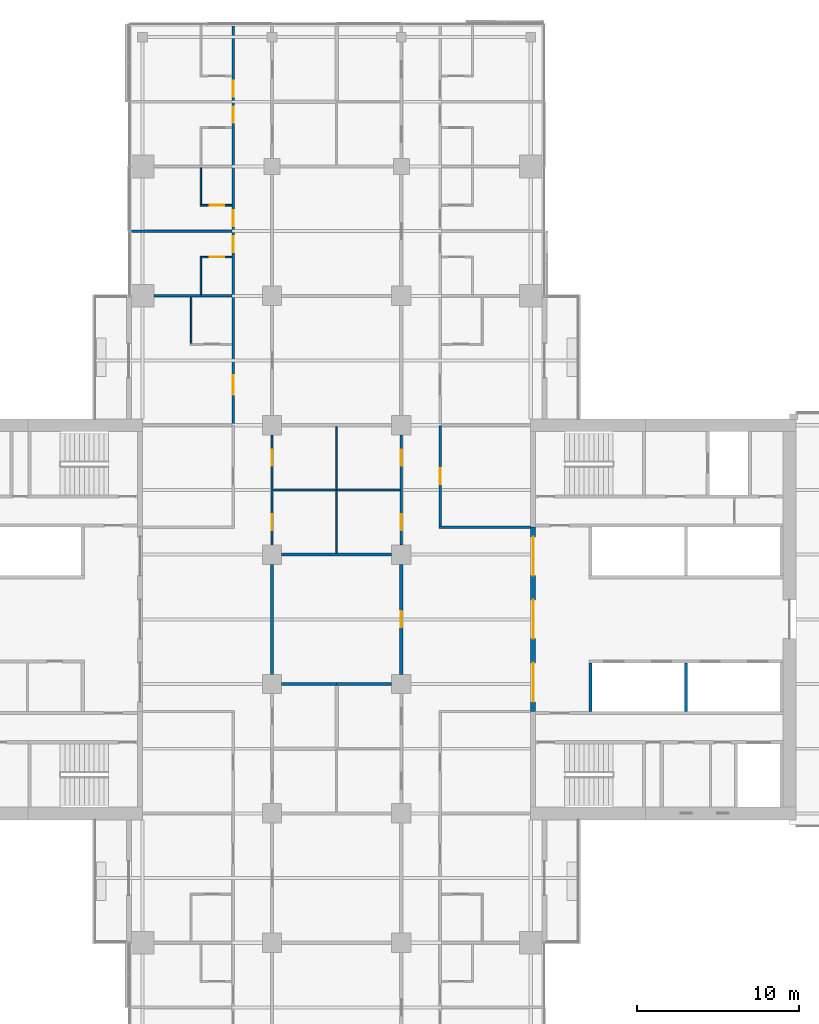
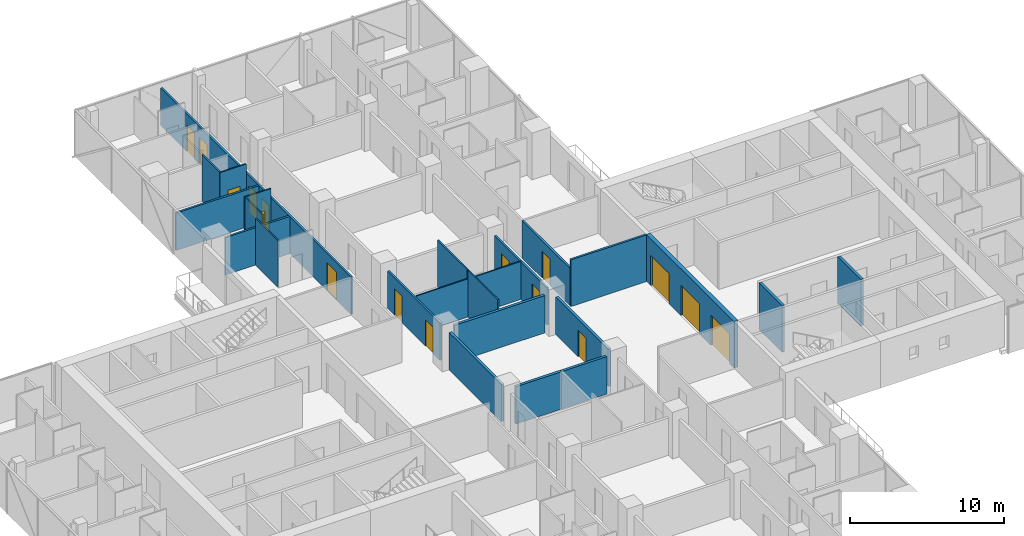
# One storey, part 20 of 29: 23 walls, 16 doors, 16 openings.
"""IFC4 building model written with IfcOpenShell, lengths in metres."""

import ifcopenshell
import ifcopenshell.guid

model = None  # the IFC model being written
_history = None  # IfcOwnerHistory: only IFC2X3 demands one
_inside = {}  # id of a spatial element -> (the spatial element, [elements in it])
_under = {}  # id of a project, library or spatial element -> (it, [spatial elements below it])
_declared = {}  # id of a project -> (the project, [libraries it declares])
_typed = {}  # id of a type object -> (the type object, [elements of that type])
_made_of = {}  # id of a material, layer set ... -> (it, [elements and type objects made of it])


def new_model(schema):
    """Start an empty IFC model of exactly this schema.

    Asked for "IFC4X3", IfcOpenShell would pick the latest addendum, in which some entities
    have other attributes; the version numbers below select the first issue.
    IFC2X3 requires an IfcOwnerHistory on every rooted entity: one is made here for all.
    """
    global model, _history
    if schema == "IFC4X3":
        model = ifcopenshell.file(schema_version=(4, 3, 0, 0))
    else:
        model = ifcopenshell.file(schema=schema)
    _inside.clear()
    _under.clear()
    _declared.clear()
    _typed.clear()
    _made_of.clear()
    _history = None
    if model.schema == "IFC2X3":
        org = make("IfcOrganization", Name="unknown")
        user = make(
            "IfcPersonAndOrganization",
            ThePerson=make("IfcPerson", FamilyName="unknown"),
            TheOrganization=org,
        )
        app = make(
            "IfcApplication",
            ApplicationDeveloper=org,
            Version="unknown",
            ApplicationFullName="unknown",
            ApplicationIdentifier="unknown",
        )
        _history = make(
            "IfcOwnerHistory",
            OwningUser=user,
            OwningApplication=app,
            ChangeAction="ADDED",
            CreationDate=0,
        )
    return model


def make(cls, **values):
    """One entity of the class cls with the attributes given. An attribute that is None is left unset."""
    return model.create_entity(
        cls, **{name: value for name, value in values.items() if value is not None}
    )


def rooted(cls, **values):
    """An entity with a GlobalId (a new one), such as an element, a storey or a relation."""
    return make(cls, GlobalId=ifcopenshell.guid.new(), OwnerHistory=_history, **values)


def si_unit(unit_type, name, prefix=None):
    """IfcSIUnit, for example si_unit("LENGTHUNIT", "METRE", prefix="MILLI")."""
    return make("IfcSIUnit", UnitType=unit_type, Prefix=prefix, Name=name)


def assignment(units):
    """IfcUnitAssignment: the units of a project."""
    return None if units is None else make("IfcUnitAssignment", Units=units)


def point(xyz):
    """IfcCartesianPoint."""
    return None if xyz is None else make("IfcCartesianPoint", Coordinates=xyz)


def direction(xyz):
    """IfcDirection."""
    return None if xyz is None else make("IfcDirection", DirectionRatios=xyz)


def frame(location, z_axis=None, x_axis=None):
    """IfcAxis2Placement3D, a coordinate frame: its origin and axes. An axis left out is left unset."""
    return make(
        "IfcAxis2Placement3D",
        Location=point(location),
        Axis=direction(z_axis),
        RefDirection=direction(x_axis),
    )


def frame_2d(location, x_axis=None):
    """IfcAxis2Placement2D, a coordinate frame in the plane: its origin and x axis."""
    return make(
        "IfcAxis2Placement2D", Location=point(location), RefDirection=direction(x_axis)
    )


def origin():
    """The frame at (0, 0, 0) with its axes left unset."""
    return frame((0.0, 0.0, 0.0))


def place(relative_to, where):
    """IfcLocalPlacement: puts the frame where relative to a parent placement (None: the world)."""
    return make(
        "IfcLocalPlacement", PlacementRelTo=relative_to, RelativePlacement=where
    )


def context(
    kind, dimensions, precision=None, world=None, true_north=None, identifier=None
):
    """IfcGeometricRepresentationContext, for example the 3D "Model" context."""
    return make(
        "IfcGeometricRepresentationContext",
        ContextIdentifier=identifier,
        ContextType=kind,
        CoordinateSpaceDimension=dimensions,
        Precision=precision,
        WorldCoordinateSystem=world,
        TrueNorth=true_north,
    )


def subcontext(parent, identifier, kind, view, scale=None):
    """IfcGeometricRepresentationSubContext, for example "Body" below "Model"."""
    return make(
        "IfcGeometricRepresentationSubContext",
        ContextIdentifier=identifier,
        ContextType=kind,
        ParentContext=parent,
        TargetScale=scale,
        TargetView=view,
    )


def project(units=None, contexts=None):
    """IfcProject with its units and contexts."""
    return rooted(
        "IfcProject",
        Name="project",
        RepresentationContexts=contexts,
        UnitsInContext=assignment(units),
    )


def spatial(cls, under=None, at=None, **own):
    """A site, building, storey or space (cls), placed at a placement, below another one or the project."""
    s = rooted(cls, ObjectPlacement=at, **own)
    if under is not None:
        _under.setdefault(under.id(), (under, []))[1].append(s)
    return s


def profile(cls, at=None, kind="AREA", **sizes):
    """A parametric profile (cls). Its sizes go by their IFC names, for example OverallWidth=200.0."""
    return make(cls, ProfileType=kind, Position=at, **sizes)


def rectangle(**sizes):
    """IfcRectangleProfileDef."""
    return profile("IfcRectangleProfileDef", **sizes)


def extrude(swept, where, along, depth):
    """IfcExtrudedAreaSolid: the profile swept, set in the frame where, extruded along a direction by depth."""
    return make(
        "IfcExtrudedAreaSolid",
        SweptArea=swept,
        Position=where,
        ExtrudedDirection=direction(along),
        Depth=depth,
    )


def shape(context_of_items, identifier, shape_type, items):
    """IfcShapeRepresentation: the items that make up one representation, for example the "Body"."""
    return make(
        "IfcShapeRepresentation",
        ContextOfItems=context_of_items,
        RepresentationIdentifier=identifier,
        RepresentationType=shape_type,
        Items=items,
    )


def material(Name=None, Category=None):
    """IfcMaterial."""
    return make("IfcMaterial", Name=Name, Category=Category)


def layer(
    of_material, thickness, ventilated=None, Name=None, Category=None, Priority=None
):
    """IfcMaterialLayer: one layer of a wall or slab, of a material (None: an air gap)."""
    return make(
        "IfcMaterialLayer",
        Material=of_material,
        LayerThickness=thickness,
        IsVentilated=ventilated,
        Name=Name,
        Category=Category,
        Priority=Priority,
    )


def layer_set(layers, Name=None):
    """IfcMaterialLayerSet."""
    return make("IfcMaterialLayerSet", MaterialLayers=layers, LayerSetName=Name)


def made_of(thing, what):
    """Note that an element or type object is made of a material, layer set ...; save() writes the relation."""
    if what is not None:
        _made_of.setdefault(what.id(), (what, []))[1].append(thing)
    return thing


def type_object(cls, material=None, **own):
    """A type object (cls), such as IfcWallType, which elements share."""
    return made_of(rooted(cls, **own), material)


def element(
    cls,
    number,
    at=None,
    inside=None,
    cuts=None,
    type_object=None,
    material=None,
    context=None,
    identifier="Body",
    shape_type=None,
    held_by="IfcProductDefinitionShape",
    body=None,
    shapes=None,
    **own,
):
    """One element of the class cls, such as IfcWall. Its Tag is "e" and its number.

    at: its placement. inside: the storey or other place that contains it. cuts: it is an
    opening in that element (IfcRelVoidsElement). A single representation is given by context,
    identifier, shape_type and body (its items); several are given by shapes. held_by: the class
    of the entity that holds the representations. save() writes the other relations.
    """
    e = rooted(cls, Tag="e%d" % number, ObjectPlacement=at, **own)
    if body is not None:
        shapes = [shape(context, identifier, shape_type, body)]
    if shapes is not None:
        e.Representation = make(held_by, Representations=shapes)
    if inside is not None:
        _inside.setdefault(inside.id(), (inside, []))[1].append(e)
    if cuts is not None:
        rooted(
            "IfcRelVoidsElement", RelatingBuildingElement=cuts, RelatedOpeningElement=e
        )
    if type_object is not None:
        _typed.setdefault(type_object.id(), (type_object, []))[1].append(e)
    return made_of(e, material)


def fill(opening, filler):
    """IfcRelFillsElement: the door or window that sits in an opening."""
    return rooted(
        "IfcRelFillsElement",
        RelatingOpeningElement=opening,
        RelatedBuildingElement=filler,
    )


def aggregate(whole, parts):
    """IfcRelAggregates: a whole, such as a stair, and the parts it consists of."""
    return rooted("IfcRelAggregates", RelatingObject=whole, RelatedObjects=parts)


def save(model, path):
    """Write the relations noted so far, then the file.

    IfcRelAggregates (storeys below a building ...), IfcRelContainedInSpatialStructure (elements
    in a storey), IfcRelDefinesByType, IfcRelAssociatesMaterial and IfcRelDeclares: one each for
    every whole, place, type object, material and project.
    """
    for whole, parts in _under.values():
        aggregate(whole, parts)
    for where, things in _inside.values():
        rooted(
            "IfcRelContainedInSpatialStructure",
            RelatedElements=things,
            RelatingStructure=where,
        )
    for kind, things in _typed.values():
        rooted("IfcRelDefinesByType", RelatedObjects=things, RelatingType=kind)
    for what, things in _made_of.values():
        rooted("IfcRelAssociatesMaterial", RelatedObjects=things, RelatingMaterial=what)
    for by, libraries in _declared.values():
        rooted("IfcRelDeclares", RelatingContext=by, RelatedDefinitions=libraries)
    model.write(path)


model = new_model("IFC4")

# Units and contexts
model_context = context("Model", 3, precision=1e-05, world=origin(), true_north=direction((0.0, 1.0)))
body_context = subcontext(model_context, "Body", "Model", "MODEL_VIEW")
ifc_project = project(units=[si_unit("LENGTHUNIT", "METRE"), si_unit("AREAUNIT", "SQUARE_METRE"), si_unit("VOLUMEUNIT", "CUBIC_METRE"), si_unit("PLANEANGLEUNIT", "RADIAN"), si_unit("MASSUNIT", "GRAM", prefix="KILO")], contexts=[model_context])

# Site, building, storey
site_placement = place(None, origin())
site = spatial("IfcSite", under=ifc_project, at=site_placement, CompositionType="ELEMENT")
building_placement = place(site_placement, origin())
building = spatial("IfcBuilding", under=site, at=building_placement, Name="Crosswind Convention Tower", CompositionType="ELEMENT")
storey_placement = place(building_placement, frame((0.0, 0.0, 57.199951171875)))
storey = spatial("IfcBuildingStorey", under=building, at=storey_placement, Name="L08", CompositionType="ELEMENT", Elevation=57.199951171875)

# Walls
ifc_material_1 = material(Name="Concrete blockwork", Category="masonry")
ifc_layer_1 = layer(ifc_material_1, 0.199951171875)
ifc_layer_set_1 = layer_set([ifc_layer_1], Name="COMPARTMENT WALL 200")
wall_type_1 = type_object("IfcWallType", Name="COMPARTMENT WALL 200", PredefinedType="SOLIDWALL", material=ifc_layer_set_1)
wall_1_placement = place(storey_placement, frame((121.60009765625, 96.0, 0.0), z_axis=(0.0, 0.0, 1.0), x_axis=(1.0, 0.0, 0.0)))
element("IfcWall", 1, at=wall_1_placement, inside=storey, type_object=wall_type_1, Name="Compartment Wall 37", PredefinedType="SOLIDWALL", context=body_context, shape_type="SweptSolid", body=[
    extrude(rectangle(XDim=3.39990234375, YDim=0.199951171875, at=frame_2d((1.699951171875, 0.0))), origin(), (0.0, 0.0, 1.0), 2.9599609375),
])
ifc_material_2 = material(Name="Plasterboard partition", Category="gypsum")
ifc_layer_2 = layer(ifc_material_2, 0.14990234375)
ifc_layer_set_2 = layer_set([ifc_layer_2], Name="CORRIDOR WALL 150")
wall_type_2 = type_object("IfcWallType", Name="CORRIDOR WALL 150", PredefinedType="PARTITIONING", material=ifc_layer_set_2)
wall_2_placement = place(storey_placement, frame((131.324951171875, 105.699951171875, 0.0), z_axis=(0.0, 0.0, 1.0), x_axis=(1.0, 0.0, 0.0)))
element("IfcWall", 2, at=wall_2_placement, inside=storey, type_object=wall_type_2, Name="Corridor Wall 55", PredefinedType="PARTITIONING", context=body_context, shape_type="SweptSolid", body=[
    extrude(rectangle(XDim=5.675048828125, YDim=0.14990234375, at=frame_2d((2.83740234375, 0.0))), origin(), (0.0, 0.0, 1.0), 3.699951171875),
])

# Wall, openings, doors
wall_3_placement = place(storey_placement, frame((121.0, 104.60009765625, 0.0), z_axis=(0.0, 0.0, 1.0), x_axis=(0.0, 1.0, 0.0)))
wall_3 = element("IfcWall", 3, at=wall_3_placement, inside=storey, type_object=wall_type_2, Name="Corridor Wall 114", PredefinedType="PARTITIONING", context=body_context, shape_type="SweptSolid", body=[
    extrude(rectangle(XDim=6.7998046875, YDim=0.14990234375, at=frame_2d((3.39990234375, 0.0))), origin(), (0.0, 0.0, 1.0), 2.9599609375),
])
opening_1_placement = place(wall_3_placement, frame((0.89990234375, 0.0, 0.0)))
opening_1 = element("IfcOpeningElement", 4, at=opening_1_placement, cuts=wall_3, Name="Opening 08.080", PredefinedType="OPENING", context=body_context, shape_type="SweptSolid", body=[
    extrude(rectangle(XDim=1.0, YDim=2.10009765625, at=frame_2d((0.5, 1.050048828125))), frame((0.0, 0.0849609375, 0.0), z_axis=(0.0, -1.0, 0.0), x_axis=(1.0, 0.0, 0.0)), (0.0, 0.0, 1.0), 0.169921875),
])
opening_2_placement = place(wall_3_placement, frame((4.89990234375, 0.0, 0.0)))
opening_2 = element("IfcOpeningElement", 5, at=opening_2_placement, cuts=wall_3, Name="Opening 08.081", PredefinedType="OPENING", context=body_context, shape_type="SweptSolid", body=[
    extrude(rectangle(XDim=1.0, YDim=2.10009765625, at=frame_2d((0.5, 1.050048828125))), frame((0.0, 0.0849609375, 0.0), z_axis=(0.0, -1.0, 0.0), x_axis=(1.0, 0.0, 0.0)), (0.0, 0.0, 1.0), 0.169921875),
])
ifc_material_3 = material(Name="Timber fire door", Category="wood")
door_type_1 = type_object("IfcDoorType", Name="SERVICE ROOM DOOR 1000X2100", OperationType="NOTDEFINED", PredefinedType="DOOR", material=ifc_material_3)
door_1_placement = place(opening_1_placement, frame((1.0, 0.0, 0.0), z_axis=(0.0, 0.0, 1.0), x_axis=(-1.0, 0.0, 0.0)))
door_1 = element("IfcDoor", 6, at=door_1_placement, inside=storey, type_object=door_type_1, Name="Door 08.080", ObjectType="D3", OperationType="SINGLE_SWING_RIGHT", OverallHeight=2.10009765625, OverallWidth=1.0, PredefinedType="DOOR", context=body_context, shape_type="SweptSolid", body=[
    extrude(rectangle(XDim=1.0, YDim=2.10009765625, at=frame_2d((0.5, 1.050048828125))), frame((0.0, 0.02490234375, 0.0), z_axis=(0.0, -1.0, 0.0), x_axis=(1.0, 0.0, 0.0)), (0.0, 0.0, 1.0), 0.050048828125),
])
fill(opening_1, door_1)
door_2_placement = place(opening_2_placement, frame((1.0, 0.0, 0.0), z_axis=(0.0, 0.0, 1.0), x_axis=(-1.0, 0.0, 0.0)))
door_2 = element("IfcDoor", 7, at=door_2_placement, inside=storey, type_object=door_type_1, Name="Door 08.081", ObjectType="D3", OperationType="SINGLE_SWING_LEFT", OverallHeight=2.10009765625, OverallWidth=1.0, PredefinedType="DOOR", context=body_context, shape_type="SweptSolid", body=[
    extrude(rectangle(XDim=1.0, YDim=2.10009765625, at=frame_2d((0.5, 1.050048828125))), frame((0.0, 0.02490234375, 0.0), z_axis=(0.0, -1.0, 0.0), x_axis=(1.0, 0.0, 0.0)), (0.0, 0.0, 1.0), 0.050048828125),
])
fill(opening_2, door_2)

wall_4_placement = place(storey_placement, frame((129.0, 104.60009765625, 0.0), z_axis=(0.0, 0.0, 1.0), x_axis=(0.0, 1.0, 0.0)))
wall_4 = element("IfcWall", 8, at=wall_4_placement, inside=storey, type_object=wall_type_2, Name="Corridor Wall 134", PredefinedType="PARTITIONING", context=body_context, shape_type="SweptSolid", body=[
    extrude(rectangle(XDim=6.7998046875, YDim=0.14990234375, at=frame_2d((3.39990234375, 0.0))), origin(), (0.0, 0.0, 1.0), 2.9599609375),
])
opening_3_placement = place(wall_4_placement, frame((0.89990234375, 0.0, 0.0)))
opening_3 = element("IfcOpeningElement", 9, at=opening_3_placement, cuts=wall_4, Name="Opening 08.082", PredefinedType="OPENING", context=body_context, shape_type="SweptSolid", body=[
    extrude(rectangle(XDim=1.0, YDim=2.10009765625, at=frame_2d((0.5, 1.050048828125))), frame((0.0, 0.0849609375, 0.0), z_axis=(0.0, -1.0, 0.0), x_axis=(1.0, 0.0, 0.0)), (0.0, 0.0, 1.0), 0.169921875),
])
opening_4_placement = place(wall_4_placement, frame((4.89990234375, 0.0, 0.0)))
opening_4 = element("IfcOpeningElement", 10, at=opening_4_placement, cuts=wall_4, Name="Opening 08.083", PredefinedType="OPENING", context=body_context, shape_type="SweptSolid", body=[
    extrude(rectangle(XDim=1.0, YDim=2.10009765625, at=frame_2d((0.5, 1.050048828125))), frame((0.0, 0.0849609375, 0.0), z_axis=(0.0, -1.0, 0.0), x_axis=(1.0, 0.0, 0.0)), (0.0, 0.0, 1.0), 0.169921875),
])
door_3_placement = place(opening_3_placement, origin())
door_3 = element("IfcDoor", 11, at=door_3_placement, inside=storey, type_object=door_type_1, Name="Door 08.082", ObjectType="D3", OperationType="SINGLE_SWING_LEFT", OverallHeight=2.10009765625, OverallWidth=1.0, PredefinedType="DOOR", context=body_context, shape_type="SweptSolid", body=[
    extrude(rectangle(XDim=1.0, YDim=2.10009765625, at=frame_2d((0.5, 1.050048828125))), frame((0.0, 0.02490234375, 0.0), z_axis=(0.0, -1.0, 0.0), x_axis=(1.0, 0.0, 0.0)), (0.0, 0.0, 1.0), 0.050048828125),
])
fill(opening_3, door_3)
door_4_placement = place(opening_4_placement, origin())
door_4 = element("IfcDoor", 12, at=door_4_placement, inside=storey, type_object=door_type_1, Name="Door 08.083", ObjectType="D3", OperationType="SINGLE_SWING_RIGHT", OverallHeight=2.10009765625, OverallWidth=1.0, PredefinedType="DOOR", context=body_context, shape_type="SweptSolid", body=[
    extrude(rectangle(XDim=1.0, YDim=2.10009765625, at=frame_2d((0.5, 1.050048828125))), frame((0.0, 0.02490234375, 0.0), z_axis=(0.0, -1.0, 0.0), x_axis=(1.0, 0.0, 0.0)), (0.0, 0.0, 1.0), 0.050048828125),
])
fill(opening_4, door_4)

# Wall, opening, door
wall_5_placement = place(storey_placement, frame((131.39990234375, 105.77490234375, 0.0), z_axis=(0.0, 0.0, 1.0), x_axis=(0.0, 1.0, 0.0)))
wall_5 = element("IfcWall", 13, at=wall_5_placement, inside=storey, type_object=wall_type_2, Name="Corridor Wall 141", PredefinedType="PARTITIONING", context=body_context, shape_type="SweptSolid", body=[
    extrude(rectangle(XDim=6.22509765625, YDim=0.14990234375, at=frame_2d((3.112548828125, 0.0))), origin(), (0.0, 0.0, 1.0), 2.95654296875),
])
opening_5_placement = place(wall_5_placement, frame((2.574951171875, 0.0, 0.0)))
opening_5 = element("IfcOpeningElement", 14, at=opening_5_placement, cuts=wall_5, Name="Opening 08.001", PredefinedType="OPENING", context=body_context, shape_type="SweptSolid", body=[
    extrude(rectangle(XDim=1.0, YDim=2.10009765625, at=frame_2d((0.5, 1.050048828125))), frame((0.0, 0.0849609375, 0.0), z_axis=(0.0, -1.0, 0.0), x_axis=(1.0, 0.0, 0.0)), (0.0, 0.0, 1.0), 0.169921875),
])
door_5_placement = place(opening_5_placement, frame((1.0, 0.0, 0.0), z_axis=(0.0, 0.0, 1.0), x_axis=(-1.0, 0.0, 0.0)))
door_5 = element("IfcDoor", 15, at=door_5_placement, inside=storey, type_object=door_type_1, Name="Door 08.001", ObjectType="D3", OperationType="SINGLE_SWING_LEFT", OverallHeight=2.10009765625, OverallWidth=1.0, PredefinedType="DOOR", context=body_context, shape_type="SweptSolid", body=[
    extrude(rectangle(XDim=1.0, YDim=2.10009765625, at=frame_2d((0.5, 1.050048828125))), frame((0.0, 0.02490234375, 0.0), z_axis=(0.0, -1.0, 0.0), x_axis=(1.0, 0.0, 0.0)), (0.0, 0.0, 1.0), 0.050048828125),
])
fill(opening_5, door_5)

# Wall, openings, doors
ifc_material_4 = material(Name="Concrete C50/60", Category="concrete")
ifc_layer_3 = layer(ifc_material_4, 0.300048828125)
ifc_layer_set_3 = layer_set([ifc_layer_3], Name="Concrete C50/60")
wall_type_3 = type_object("IfcWallType", Name="Concrete inner core wall 300", PredefinedType="SHEAR", material=ifc_layer_set_3)
wall_6_placement = place(storey_placement, frame((137.14990234375, 94.300048828125, 0.0), z_axis=(0.0, 0.0, 1.0), x_axis=(0.0, 1.0, 0.0)))
wall_6 = element("IfcWall", 16, at=wall_6_placement, inside=storey, type_object=wall_type_3, Name="Wall SCR E L08", PredefinedType="SHEAR", context=body_context, shape_type="SweptSolid", body=[
    extrude(rectangle(XDim=11.39990234375, YDim=0.300048828125, at=frame_2d((5.699951171875, 0.0))), origin(), (0.0, 0.0, 1.0), 3.699951171875),
])
opening_6_placement = place(wall_6_placement, frame((0.60009765625, 0.0, 0.0)))
opening_6 = element("IfcOpeningElement", 17, at=opening_6_placement, cuts=wall_6, Name="Opening D100", PredefinedType="OPENING", context=body_context, shape_type="SweptSolid", body=[
    extrude(rectangle(XDim=2.39990234375, YDim=2.39990234375, at=frame_2d((1.199951171875, 1.199951171875))), frame((0.0, 0.159912109375, 0.0), z_axis=(0.0, -1.0, 0.0), x_axis=(1.0, 0.0, 0.0)), (0.0, 0.0, 1.0), 0.320068359375),
])
opening_7_placement = place(wall_6_placement, frame((4.5, 0.0, 0.0)))
opening_7 = element("IfcOpeningElement", 18, at=opening_7_placement, cuts=wall_6, Name="Opening D100", PredefinedType="OPENING", context=body_context, shape_type="SweptSolid", body=[
    extrude(rectangle(XDim=2.39990234375, YDim=2.39990234375, at=frame_2d((1.199951171875, 1.199951171875))), frame((0.0, 0.159912109375, 0.0), z_axis=(0.0, -1.0, 0.0), x_axis=(1.0, 0.0, 0.0)), (0.0, 0.0, 1.0), 0.320068359375),
])
opening_8_placement = place(wall_6_placement, frame((8.39990234375, 0.0, 0.0)))
opening_8 = element("IfcOpeningElement", 19, at=opening_8_placement, cuts=wall_6, Name="Opening D100", PredefinedType="OPENING", context=body_context, shape_type="SweptSolid", body=[
    extrude(rectangle(XDim=2.39990234375, YDim=2.39990234375, at=frame_2d((1.199951171875, 1.199951171875))), frame((0.0, 0.159912109375, 0.0), z_axis=(0.0, -1.0, 0.0), x_axis=(1.0, 0.0, 0.0)), (0.0, 0.0, 1.0), 0.320068359375),
])
ifc_material_5 = material(Name="Steel fire door with glazed vision panels", Category="steel")
door_type_2 = type_object("IfcDoorType", Name="Fire-rated double door 2400x2400", OperationType="DOUBLE_DOOR_SINGLE_SWING", PredefinedType="DOOR", material=ifc_material_5)
door_6_placement = place(opening_6_placement, origin())
door_6 = element("IfcDoor", 20, at=door_6_placement, inside=storey, type_object=door_type_2, Name="Lobby door 1 L08", ObjectType="D100", OperationType="DOUBLE_DOOR_SINGLE_SWING", OverallHeight=2.39990234375, OverallWidth=2.39990234375, PredefinedType="DOOR", context=body_context, shape_type="SweptSolid", body=[
    extrude(rectangle(XDim=2.39990234375, YDim=2.39990234375, at=frame_2d((1.199951171875, 1.199951171875))), frame((0.0, 0.02490234375, 0.0), z_axis=(0.0, -1.0, 0.0), x_axis=(1.0, 0.0, 0.0)), (0.0, 0.0, 1.0), 0.050048828125),
])
fill(opening_6, door_6)
door_7_placement = place(opening_7_placement, origin())
door_7 = element("IfcDoor", 21, at=door_7_placement, inside=storey, type_object=door_type_2, Name="Lobby door 2 L08", ObjectType="D100", OperationType="DOUBLE_DOOR_SINGLE_SWING", OverallHeight=2.39990234375, OverallWidth=2.39990234375, PredefinedType="DOOR", context=body_context, shape_type="SweptSolid", body=[
    extrude(rectangle(XDim=2.39990234375, YDim=2.39990234375, at=frame_2d((1.199951171875, 1.199951171875))), frame((0.0, 0.02490234375, 0.0), z_axis=(0.0, -1.0, 0.0), x_axis=(1.0, 0.0, 0.0)), (0.0, 0.0, 1.0), 0.050048828125),
])
fill(opening_7, door_7)
door_8_placement = place(opening_8_placement, origin())
door_8 = element("IfcDoor", 22, at=door_8_placement, inside=storey, type_object=door_type_2, Name="Lobby door 3 L08", ObjectType="D100", OperationType="DOUBLE_DOOR_SINGLE_SWING", OverallHeight=2.39990234375, OverallWidth=2.39990234375, PredefinedType="DOOR", context=body_context, shape_type="SweptSolid", body=[
    extrude(rectangle(XDim=2.39990234375, YDim=2.39990234375, at=frame_2d((1.199951171875, 1.199951171875))), frame((0.0, 0.02490234375, 0.0), z_axis=(0.0, -1.0, 0.0), x_axis=(1.0, 0.0, 0.0)), (0.0, 0.0, 1.0), 0.050048828125),
])
fill(opening_8, door_8)

# Walls
ifc_layer_4 = layer(ifc_material_4, 0.199951171875)
ifc_layer_set_4 = layer_set([ifc_layer_4], Name="Concrete C50/60")
wall_type_4 = type_object("IfcWallType", Name="Concrete shaft and stair wall 200", PredefinedType="SHEAR", material=ifc_layer_set_4)
for number, where, z_axis, x_axis, name in (
    (23, (140.699951171875, 94.300048828125, 0.0), (0.0, 0.0, 1.0), (0.0, 1.0, 0.0), "Wall RMEND E L08"),
    (24, (146.60009765625, 94.300048828125, 0.0), (0.0, 0.0, 1.0), (0.0, 1.0, 0.0), "Wall RMSEP E L08"),
):
    element("IfcWall", number, at=place(storey_placement, frame(where, z_axis=z_axis, x_axis=x_axis)), inside=storey, type_object=wall_type_4, Name=name, PredefinedType="SHEAR", context=body_context, shape_type="SweptSolid", body=[
        extrude(rectangle(XDim=3.0, YDim=0.199951171875, at=frame_2d((1.5, 0.0))), origin(), (0.0, 0.0, 1.0), 3.699951171875),
    ])
ifc_material_6 = material(Name="Acoustic plasterboard partition", Category="gypsum")
ifc_layer_5 = layer(ifc_material_6, 0.14990234375)
ifc_layer_set_5 = layer_set([ifc_layer_5], Name="GUEST ROOM WALL 150")
wall_type_5 = type_object("IfcWallType", Name="GUEST ROOM WALL 150", PredefinedType="PARTITIONING", material=ifc_layer_set_5)
wall_7_placement = place(storey_placement, frame((113.699951171875, 120.0, 0.0), z_axis=(0.0, 0.0, 1.0), x_axis=(1.0, 0.0, 0.0)))
element("IfcWall", 25, at=wall_7_placement, inside=storey, type_object=wall_type_5, Name="Guest Room Wall 66", PredefinedType="PARTITIONING", context=body_context, shape_type="SweptSolid", body=[
    extrude(rectangle(XDim=4.824951171875, YDim=0.14990234375, at=frame_2d((2.41259765625, 0.0))), origin(), (0.0, 0.0, 1.0), 2.9599609375),
])
wall_8_placement = place(storey_placement, frame((112.300048828125, 124.0, 0.0), z_axis=(0.0, 0.0, 1.0), x_axis=(1.0, 0.0, 0.0)))
element("IfcWall", 26, at=wall_8_placement, inside=storey, type_object=wall_type_5, Name="Guest Room Wall 71", PredefinedType="PARTITIONING", context=body_context, shape_type="SweptSolid", body=[
    extrude(rectangle(XDim=6.224853515625, YDim=0.14990234375, at=frame_2d((3.1123046875, 0.0))), origin(), (0.0, 0.0, 1.0), 2.962890625),
])

# Wall, openings, doors
wall_9_placement = place(storey_placement, frame((118.60009765625, 112.0, 0.0), z_axis=(0.0, 0.0, 1.0), x_axis=(0.0, 1.0, 0.0)))
wall_9 = element("IfcWall", 27, at=wall_9_placement, inside=storey, type_object=wall_type_5, Name="Guest Room Wall 106", PredefinedType="PARTITIONING", context=body_context, shape_type="SweptSolid", body=[
    extrude(rectangle(XDim=24.699951171875, YDim=0.14990234375, at=frame_2d((12.35009765625, 0.0))), origin(), (0.0, 0.0, 1.0), 2.95654296875),
])
opening_9_placement = place(wall_9_placement, frame((1.89990234375, 0.0, 0.0)))
opening_9 = element("IfcOpeningElement", 28, at=opening_9_placement, cuts=wall_9, Name="Opening 08.015", PredefinedType="OPENING", context=body_context, shape_type="SweptSolid", body=[
    extrude(rectangle(XDim=1.199951171875, YDim=2.199951171875, at=frame_2d((0.60009765625, 1.10009765625))), frame((0.0, 0.0849609375, 0.0), z_axis=(0.0, -1.0, 0.0), x_axis=(1.0, 0.0, 0.0)), (0.0, 0.0, 1.0), 0.169921875),
])
opening_10_placement = place(wall_9_placement, frame((10.699951171875, 0.0, 0.0)))
opening_10 = element("IfcOpeningElement", 29, at=opening_10_placement, cuts=wall_9, Name="Opening 08.017", PredefinedType="OPENING", context=body_context, shape_type="SweptSolid", body=[
    extrude(rectangle(XDim=1.0, YDim=2.10009765625, at=frame_2d((0.5, 1.050048828125))), frame((0.0, 0.0849609375, 0.0), z_axis=(0.0, -1.0, 0.0), x_axis=(1.0, 0.0, 0.0)), (0.0, 0.0, 1.0), 0.169921875),
])
opening_11_placement = place(wall_9_placement, frame((12.300048828125, 0.0, 0.0)))
opening_11 = element("IfcOpeningElement", 30, at=opening_11_placement, cuts=wall_9, Name="Opening 08.019", PredefinedType="OPENING", context=body_context, shape_type="SweptSolid", body=[
    extrude(rectangle(XDim=1.0, YDim=2.10009765625, at=frame_2d((0.5, 1.050048828125))), frame((0.0, 0.0849609375, 0.0), z_axis=(0.0, -1.0, 0.0), x_axis=(1.0, 0.0, 0.0)), (0.0, 0.0, 1.0), 0.169921875),
])
opening_12_placement = place(wall_9_placement, frame((18.699951171875, 0.0, 0.0)))
opening_12 = element("IfcOpeningElement", 31, at=opening_12_placement, cuts=wall_9, Name="Opening 08.021", PredefinedType="OPENING", context=body_context, shape_type="SweptSolid", body=[
    extrude(rectangle(XDim=1.0, YDim=2.10009765625, at=frame_2d((0.5, 1.050048828125))), frame((0.0, 0.0849609375, 0.0), z_axis=(0.0, -1.0, 0.0), x_axis=(1.0, 0.0, 0.0)), (0.0, 0.0, 1.0), 0.169921875),
])
opening_13_placement = place(wall_9_placement, frame((20.300048828125, 0.0, 0.0)))
opening_13 = element("IfcOpeningElement", 32, at=opening_13_placement, cuts=wall_9, Name="Opening 08.023", PredefinedType="OPENING", context=body_context, shape_type="SweptSolid", body=[
    extrude(rectangle(XDim=1.0, YDim=2.10009765625, at=frame_2d((0.5, 1.050048828125))), frame((0.0, 0.0849609375, 0.0), z_axis=(0.0, -1.0, 0.0), x_axis=(1.0, 0.0, 0.0)), (0.0, 0.0, 1.0), 0.169921875),
])
door_type_3 = type_object("IfcDoorType", Name="GUEST ROOM DOOR 1000X2100", OperationType="NOTDEFINED", PredefinedType="DOOR", material=ifc_material_3)
door_9_placement = place(opening_10_placement, origin())
door_9 = element("IfcDoor", 33, at=door_9_placement, inside=storey, type_object=door_type_3, Name="Door 08.017", ObjectType="D1", OperationType="SINGLE_SWING_RIGHT", OverallHeight=2.10009765625, OverallWidth=1.0, PredefinedType="DOOR", context=body_context, shape_type="SweptSolid", body=[
    extrude(rectangle(XDim=1.0, YDim=2.10009765625, at=frame_2d((0.5, 1.050048828125))), frame((0.0, 0.02490234375, 0.0), z_axis=(0.0, -1.0, 0.0), x_axis=(1.0, 0.0, 0.0)), (0.0, 0.0, 1.0), 0.050048828125),
])
fill(opening_10, door_9)
door_10_placement = place(opening_11_placement, origin())
door_10 = element("IfcDoor", 34, at=door_10_placement, inside=storey, type_object=door_type_3, Name="Door 08.019", ObjectType="D1", OperationType="SINGLE_SWING_RIGHT", OverallHeight=2.10009765625, OverallWidth=1.0, PredefinedType="DOOR", context=body_context, shape_type="SweptSolid", body=[
    extrude(rectangle(XDim=1.0, YDim=2.10009765625, at=frame_2d((0.5, 1.050048828125))), frame((0.0, 0.02490234375, 0.0), z_axis=(0.0, -1.0, 0.0), x_axis=(1.0, 0.0, 0.0)), (0.0, 0.0, 1.0), 0.050048828125),
])
fill(opening_11, door_10)
door_11_placement = place(opening_12_placement, origin())
door_11 = element("IfcDoor", 35, at=door_11_placement, inside=storey, type_object=door_type_3, Name="Door 08.021", ObjectType="D1", OperationType="SINGLE_SWING_RIGHT", OverallHeight=2.10009765625, OverallWidth=1.0, PredefinedType="DOOR", context=body_context, shape_type="SweptSolid", body=[
    extrude(rectangle(XDim=1.0, YDim=2.10009765625, at=frame_2d((0.5, 1.050048828125))), frame((0.0, 0.02490234375, 0.0), z_axis=(0.0, -1.0, 0.0), x_axis=(1.0, 0.0, 0.0)), (0.0, 0.0, 1.0), 0.050048828125),
])
fill(opening_12, door_11)
door_12_placement = place(opening_13_placement, origin())
door_12 = element("IfcDoor", 36, at=door_12_placement, inside=storey, type_object=door_type_3, Name="Door 08.023", ObjectType="D1", OperationType="SINGLE_SWING_RIGHT", OverallHeight=2.10009765625, OverallWidth=1.0, PredefinedType="DOOR", context=body_context, shape_type="SweptSolid", body=[
    extrude(rectangle(XDim=1.0, YDim=2.10009765625, at=frame_2d((0.5, 1.050048828125))), frame((0.0, 0.02490234375, 0.0), z_axis=(0.0, -1.0, 0.0), x_axis=(1.0, 0.0, 0.0)), (0.0, 0.0, 1.0), 0.050048828125),
])
fill(opening_13, door_12)
door_type_4 = type_object("IfcDoorType", Name="SUITE DOOR 1200X2200", OperationType="DOUBLE_DOOR_SINGLE_SWING", PredefinedType="DOOR", material=ifc_material_3)
door_13_placement = place(opening_9_placement, origin())
door_13 = element("IfcDoor", 37, at=door_13_placement, inside=storey, type_object=door_type_4, Name="Door 08.015", ObjectType="D14", OperationType="DOUBLE_DOOR_SINGLE_SWING", OverallHeight=2.199951171875, OverallWidth=1.199951171875, PredefinedType="DOOR", context=body_context, shape_type="SweptSolid", body=[
    extrude(rectangle(XDim=1.199951171875, YDim=2.199951171875, at=frame_2d((0.60009765625, 1.10009765625))), frame((0.0, 0.02490234375, 0.0), z_axis=(0.0, -1.0, 0.0), x_axis=(1.0, 0.0, 0.0)), (0.0, 0.0, 1.0), 0.050048828125),
])
fill(opening_9, door_13)

# Walls
ifc_material_7 = material(Name="Double plasterboard partition", Category="gypsum")
ifc_layer_6 = layer(ifc_material_7, 0.199951171875)
ifc_layer_set_6 = layer_set([ifc_layer_6], Name="HALL WALL 200")
wall_type_6 = type_object("IfcWallType", Name="HALL WALL 200", PredefinedType="PARTITIONING", material=ifc_layer_set_6)
wall_10_placement = place(storey_placement, frame((125.0, 96.0, 0.0), z_axis=(0.0, 0.0, 1.0), x_axis=(1.0, 0.0, 0.0)))
element("IfcWall", 38, at=wall_10_placement, inside=storey, type_object=wall_type_6, Name="Hall Wall 38", PredefinedType="PARTITIONING", context=body_context, shape_type="SweptSolid", body=[
    extrude(rectangle(XDim=3.39990234375, YDim=0.199951171875, at=frame_2d((1.699951171875, 0.0))), origin(), (0.0, 0.0, 1.0), 2.9599609375),
])
for number, where, z_axis, x_axis, name in (
    (39, (121.60009765625, 104.0, 0.0), (0.0, 0.0, 1.0), (1.0, 0.0, 0.0), "Hall Wall 49"),
    (40, (121.0, 96.60009765625, 0.0), (0.0, 0.0, 1.0), (0.0, 1.0, 0.0), "Hall Wall 113"),
):
    element("IfcWall", number, at=place(storey_placement, frame(where, z_axis=z_axis, x_axis=x_axis)), inside=storey, type_object=wall_type_6, Name=name, PredefinedType="PARTITIONING", context=body_context, shape_type="SweptSolid", body=[
        extrude(rectangle(XDim=6.7998046875, YDim=0.199951171875, at=frame_2d((3.39990234375, 0.0))), origin(), (0.0, 0.0, 1.0), 2.9599609375),
    ])

# Wall, opening, door
wall_11_placement = place(storey_placement, frame((129.0, 96.60009765625, 0.0), z_axis=(0.0, 0.0, 1.0), x_axis=(0.0, 1.0, 0.0)))
wall_11 = element("IfcWall", 41, at=wall_11_placement, inside=storey, type_object=wall_type_6, Name="Hall Wall 133", PredefinedType="PARTITIONING", context=body_context, shape_type="SweptSolid", body=[
    extrude(rectangle(XDim=6.7998046875, YDim=0.199951171875, at=frame_2d((3.39990234375, 0.0))), origin(), (0.0, 0.0, 1.0), 2.9599609375),
])
opening_14_placement = place(wall_11_placement, frame((2.89990234375, 0.0, 0.0)))
opening_14 = element("IfcOpeningElement", 42, at=opening_14_placement, cuts=wall_11, Name="Opening 08.079", PredefinedType="OPENING", context=body_context, shape_type="SweptSolid", body=[
    extrude(rectangle(XDim=1.0, YDim=2.10009765625, at=frame_2d((0.5, 1.050048828125))), frame((0.0, 0.10986328125, 0.0), z_axis=(0.0, -1.0, 0.0), x_axis=(1.0, 0.0, 0.0)), (0.0, 0.0, 1.0), 0.219970703125),
])
door_type_5 = type_object("IfcDoorType", Name="MEETING ROOM DOOR 1000X2100", OperationType="NOTDEFINED", PredefinedType="DOOR", material=ifc_material_3)
door_14_placement = place(opening_14_placement, origin())
door_14 = element("IfcDoor", 43, at=door_14_placement, inside=storey, type_object=door_type_5, Name="Door 08.079", ObjectType="D13", OperationType="SINGLE_SWING_RIGHT", OverallHeight=2.10009765625, OverallWidth=1.0, PredefinedType="DOOR", context=body_context, shape_type="SweptSolid", body=[
    extrude(rectangle(XDim=1.0, YDim=2.10009765625, at=frame_2d((0.5, 1.050048828125))), frame((0.0, 0.02490234375, 0.0), z_axis=(0.0, -1.0, 0.0), x_axis=(1.0, 0.0, 0.0)), (0.0, 0.0, 1.0), 0.050048828125),
])
fill(opening_14, door_14)

# Walls
ifc_layer_7 = layer(ifc_material_2, 0.10009765625)
ifc_layer_set_7 = layer_set([ifc_layer_7], Name="PARTITION 100")
wall_type_7 = type_object("IfcWallType", Name="PARTITION 100", PredefinedType="PARTITIONING", material=ifc_layer_set_7)
wall_12_placement = place(storey_placement, frame((121.074951171875, 108.0, 0.0), z_axis=(0.0, 0.0, 1.0), x_axis=(1.0, 0.0, 0.0)))
element("IfcWall", 44, at=wall_12_placement, inside=storey, type_object=wall_type_7, Name="Partition 57", PredefinedType="PARTITIONING", context=body_context, shape_type="SweptSolid", body=[
    extrude(rectangle(XDim=7.85009765625, YDim=0.10009765625, at=frame_2d((3.925048828125, 0.0))), origin(), (0.0, 0.0, 1.0), 3.013671875),
])
for number, where, z_axis, x_axis, name in (
    (45, (125.0, 104.10009765625, 0.0), (0.0, 0.0, 1.0), (0.0, 1.0, 0.0), "Partition 124"),
    (46, (125.0, 108.050048828125, 0.0), (0.0, 0.0, 1.0), (0.0, 1.0, 0.0), "Partition 125"),
):
    element("IfcWall", number, at=place(storey_placement, frame(where, z_axis=z_axis, x_axis=x_axis)), inside=storey, type_object=wall_type_7, Name=name, PredefinedType="PARTITIONING", context=body_context, shape_type="SweptSolid", body=[
        extrude(rectangle(XDim=3.849853515625, YDim=0.10009765625, at=frame_2d((1.9248046875, 0.0))), origin(), (0.0, 0.0, 1.0), 3.699951171875),
    ])

# Wall, opening, door
ifc_material_8 = material(Name="Water-resistant plasterboard partition", Category="gypsum")
ifc_layer_8 = layer(ifc_material_8, 0.10009765625)
ifc_layer_set_8 = layer_set([ifc_layer_8], Name="WET ROOM PARTITION 100")
wall_type_8 = type_object("IfcWallType", Name="WET ROOM PARTITION 100", PredefinedType="PLUMBINGWALL", material=ifc_layer_set_8)
wall_13_placement = place(storey_placement, frame((116.550048828125, 122.39990234375, 0.0), z_axis=(0.0, 0.0, 1.0), x_axis=(1.0, 0.0, 0.0)))
wall_13 = element("IfcWall", 47, at=wall_13_placement, inside=storey, type_object=wall_type_8, Name="Wet Room Partition 69", PredefinedType="PLUMBINGWALL", context=body_context, shape_type="SweptSolid", body=[
    extrude(rectangle(XDim=1.974853515625, YDim=0.10009765625, at=frame_2d((0.9873046875, 0.0))), origin(), (0.0, 0.0, 1.0), 3.699951171875),
])
opening_15_placement = place(wall_13_placement, frame((0.60009765625, 0.0, 0.0)))
opening_15 = element("IfcOpeningElement", 48, at=opening_15_placement, cuts=wall_13, Name="Opening 08.018", PredefinedType="OPENING", context=body_context, shape_type="SweptSolid", body=[
    extrude(rectangle(XDim=0.89990234375, YDim=2.10009765625, at=frame_2d((0.449951171875, 1.050048828125))), frame((0.0, 0.06005859375, 0.0), z_axis=(0.0, -1.0, 0.0), x_axis=(1.0, 0.0, 0.0)), (0.0, 0.0, 1.0), 0.1201171875),
])
ifc_material_9 = material(Name="Timber door", Category="wood")
door_type_6 = type_object("IfcDoorType", Name="EN-SUITE DOOR 900X2100", OperationType="NOTDEFINED", PredefinedType="DOOR", material=ifc_material_9)
door_15_placement = place(opening_15_placement, frame((0.89990234375, 0.0, 0.0), z_axis=(0.0, 0.0, 1.0), x_axis=(-1.0, 0.0, 0.0)))
door_15 = element("IfcDoor", 49, at=door_15_placement, inside=storey, type_object=door_type_6, Name="Door 08.018", ObjectType="D2", OperationType="SINGLE_SWING_LEFT", OverallHeight=2.10009765625, OverallWidth=0.89990234375, PredefinedType="DOOR", context=body_context, shape_type="SweptSolid", body=[
    extrude(rectangle(XDim=0.89990234375, YDim=2.10009765625, at=frame_2d((0.449951171875, 1.050048828125))), frame((0.0, 0.02490234375, 0.0), z_axis=(0.0, -1.0, 0.0), x_axis=(1.0, 0.0, 0.0)), (0.0, 0.0, 1.0), 0.050048828125),
])
fill(opening_15, door_15)

wall_14_placement = place(storey_placement, frame((116.550048828125, 125.60009765625, 0.0), z_axis=(0.0, 0.0, 1.0), x_axis=(1.0, 0.0, 0.0)))
wall_14 = element("IfcWall", 50, at=wall_14_placement, inside=storey, type_object=wall_type_8, Name="Wet Room Partition 73", PredefinedType="PLUMBINGWALL", context=body_context, shape_type="SweptSolid", body=[
    extrude(rectangle(XDim=1.974853515625, YDim=0.10009765625, at=frame_2d((0.9873046875, 0.0))), origin(), (0.0, 0.0, 1.0), 3.699951171875),
])
opening_16_placement = place(wall_14_placement, frame((0.60009765625, 0.0, 0.0)))
opening_16 = element("IfcOpeningElement", 51, at=opening_16_placement, cuts=wall_14, Name="Opening 08.020", PredefinedType="OPENING", context=body_context, shape_type="SweptSolid", body=[
    extrude(rectangle(XDim=0.89990234375, YDim=2.10009765625, at=frame_2d((0.449951171875, 1.050048828125))), frame((0.0, 0.06005859375, 0.0), z_axis=(0.0, -1.0, 0.0), x_axis=(1.0, 0.0, 0.0)), (0.0, 0.0, 1.0), 0.1201171875),
])
door_16_placement = place(opening_16_placement, origin())
door_16 = element("IfcDoor", 52, at=door_16_placement, inside=storey, type_object=door_type_6, Name="Door 08.020", ObjectType="D2", OperationType="SINGLE_SWING_RIGHT", OverallHeight=2.10009765625, OverallWidth=0.89990234375, PredefinedType="DOOR", context=body_context, shape_type="SweptSolid", body=[
    extrude(rectangle(XDim=0.89990234375, YDim=2.10009765625, at=frame_2d((0.449951171875, 1.050048828125))), frame((0.0, 0.02490234375, 0.0), z_axis=(0.0, -1.0, 0.0), x_axis=(1.0, 0.0, 0.0)), (0.0, 0.0, 1.0), 0.050048828125),
])
fill(opening_16, door_16)

# Walls
wall_15_placement = place(storey_placement, frame((116.0, 117.050048828125, 0.0), z_axis=(0.0, 0.0, 1.0), x_axis=(0.0, 1.0, 0.0)))
element("IfcWall", 53, at=wall_15_placement, inside=storey, type_object=wall_type_8, Name="Wet Room Partition 94", PredefinedType="PLUMBINGWALL", context=body_context, shape_type="SweptSolid", body=[
    extrude(rectangle(XDim=2.875, YDim=0.10009765625, at=frame_2d((1.4375, 0.0))), origin(), (0.0, 0.0, 1.0), 3.699951171875),
])
for number, where, z_axis, x_axis, name in (
    (54, (116.60009765625, 120.074951171875, 0.0), (0.0, 0.0, 1.0), (0.0, 1.0, 0.0), "Wet Room Partition 99"),
    (55, (116.60009765625, 125.64990234375, 0.0), (0.0, 0.0, 1.0), (0.0, 1.0, 0.0), "Wet Room Partition 100"),
):
    element("IfcWall", number, at=place(storey_placement, frame(where, z_axis=z_axis, x_axis=x_axis)), inside=storey, type_object=wall_type_8, Name=name, PredefinedType="PLUMBINGWALL", context=body_context, shape_type="SweptSolid", body=[
        extrude(rectangle(XDim=2.275146484375, YDim=0.10009765625, at=frame_2d((1.1376953125, 0.0))), origin(), (0.0, 0.0, 1.0), 3.699951171875),
    ])

save(model, "model.ifc")
